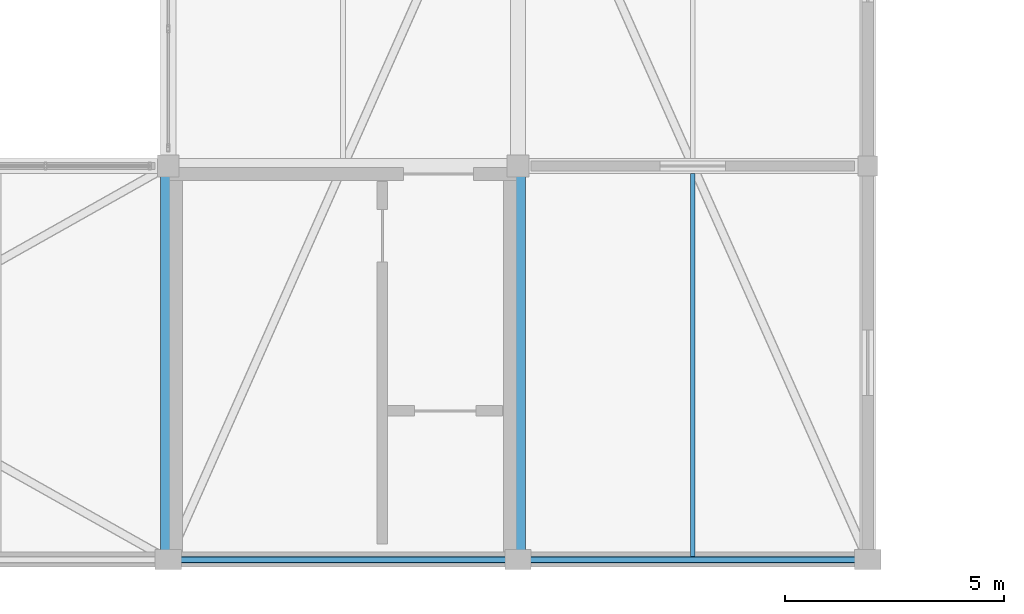
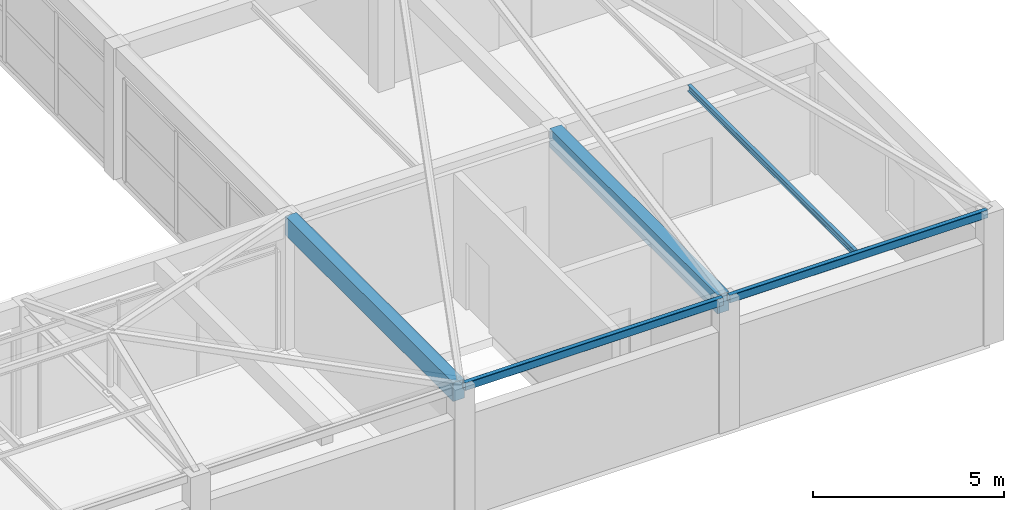
# One storey, part 33 of 65: 5 beams.
"""IFC4 building model written with IfcOpenShell, lengths in metres."""

from ifc_helpers import new_model, si_unit, direction, frame, origin, origin_2d, place, context, subcontext, project, spatial, rectangle, hollow_rectangle, i_section, extrude, material, material_profile, profile_set, type_object, element, save


model = new_model("IFC4")

# Units and contexts
model_context = context("Model", 3, precision=1e-05, world=origin(), true_north=direction((0.0, 1.0)))
body_context = subcontext(model_context, "Body", "Model", "MODEL_VIEW")
ifc_project = project(units=[si_unit("LENGTHUNIT", "METRE"), si_unit("AREAUNIT", "SQUARE_METRE"), si_unit("VOLUMEUNIT", "CUBIC_METRE"), si_unit("PLANEANGLEUNIT", "RADIAN"), si_unit("MASSUNIT", "GRAM", prefix="KILO")], contexts=[model_context])

# Site, building, storey
site_placement = place(None, origin())
site = spatial("IfcSite", under=ifc_project, at=site_placement, CompositionType="ELEMENT")
building_placement = place(site_placement, origin())
building = spatial("IfcBuilding", under=site, at=building_placement, Name="Varnabhumi Central Station", CompositionType="ELEMENT")
storey_placement = place(building_placement, frame((0.0, 0.0, 24.60009765625)))
storey = spatial("IfcBuildingStorey", under=building, at=storey_placement, Name="L05", CompositionType="ELEMENT", Elevation=24.60009765625)

# Beams
ifc_material_1 = material(Name="Structural steel E350", Category="steel")
ifc_material_profile_1 = material_profile(ifc_material_1, hollow_rectangle(XDim=0.14990234375, YDim=0.25, WallThickness=0.010009765625, InnerFilletRadius=0.010009765625, OuterFilletRadius=0.02001953125, at=origin_2d()), Name="Structural steel E350", Category="steel")
ifc_profile_set_1 = profile_set([ifc_material_profile_1], Name="Structural steel E350")
beam_type_1 = type_object("IfcBeamType", Name="BM-EDGE-RHS250", PredefinedType="SPANDREL", material=ifc_profile_set_1)
for number, where, z_axis, x_axis, name in (
    (1, (144.10009765625, 0.0, 4.074951171875), (1.0, 0.0, 0.0), (0.0, 1.0, 0.0), "Beam L05-A:19-20"),
    (2, (152.10009765625, 0.0, 4.074951171875), (1.0, 0.0, 0.0), (0.0, 1.0, 0.0), "Beam L05-A:20-21"),
):
    element("IfcBeam", number, at=place(storey_placement, frame(where, z_axis=z_axis, x_axis=x_axis)), inside=storey, type_object=beam_type_1, Name=name, PredefinedType="SPANDREL", context=body_context, shape_type="SweptSolid", body=[
        extrude(hollow_rectangle(XDim=0.14990234375, YDim=0.25, WallThickness=0.010009765625, InnerFilletRadius=0.010009765625, OuterFilletRadius=0.02001953125, at=origin_2d()), origin(), (0.0, 0.0, 1.0), 7.7998046875),
    ])
ifc_material_2 = material(Name="Concrete M40", Category="concrete")
ifc_material_profile_2 = material_profile(ifc_material_2, rectangle(XDim=0.35009765625, YDim=0.60009765625, at=origin_2d()), Name="Concrete M40", Category="concrete")
ifc_profile_set_2 = profile_set([ifc_material_profile_2], Name="Concrete M40")
beam_type_2 = type_object("IfcBeamType", Name="BM-RC-350x600", PredefinedType="BEAM", material=ifc_profile_set_2)
for number, where, z_axis, x_axis, name in (
    (3, (144.0, 0.10009765625, 3.89990234375), (0.0, 1.0, 0.0), (-1.0, 0.0, 0.0), "Beam L05-19:A-B"),
    (4, (152.0, 0.10009765625, 3.89990234375), (0.0, 1.0, 0.0), (-1.0, 0.0, 0.0), "Beam L05-20:A-B"),
):
    element("IfcBeam", number, at=place(storey_placement, frame(where, z_axis=z_axis, x_axis=x_axis)), inside=storey, type_object=beam_type_2, Name=name, PredefinedType="BEAM", context=body_context, shape_type="SweptSolid", body=[
        extrude(rectangle(XDim=0.35009765625, YDim=0.60009765625, at=origin_2d()), origin(), (0.0, 0.0, 1.0), 8.7998046875),
    ])
ifc_material_profile_3 = material_profile(ifc_material_1, i_section(OverallWidth=0.10009765625, OverallDepth=0.199951171875, WebThickness=0.005615234375, FlangeThickness=0.0107421875, FilletRadius=0.010986328125, at=origin_2d()), Name="Structural steel E350", Category="steel")
ifc_profile_set_3 = profile_set([ifc_material_profile_3], Name="Structural steel E350")
beam_type_3 = type_object("IfcBeamType", Name="BM-STL-ISMB200", PredefinedType="JOIST", material=ifc_profile_set_3)
beam_placement = place(storey_placement, frame((156.0, 0.074951171875, 4.099853515625), z_axis=(0.0, 1.0, 0.0), x_axis=(-1.0, 0.0, 0.0)))
element("IfcBeam", 5, at=beam_placement, inside=storey, type_object=beam_type_3, Name="Secondary Joist L05-20/21:A-B", PredefinedType="JOIST", context=body_context, shape_type="SweptSolid", body=[
    extrude(i_section(OverallWidth=0.10009765625, OverallDepth=0.199951171875, WebThickness=0.005615234375, FlangeThickness=0.0107421875, FilletRadius=0.010986328125, at=origin_2d()), origin(), (0.0, 0.0, 1.0), 8.75),
])

save(model, "model.ifc")
